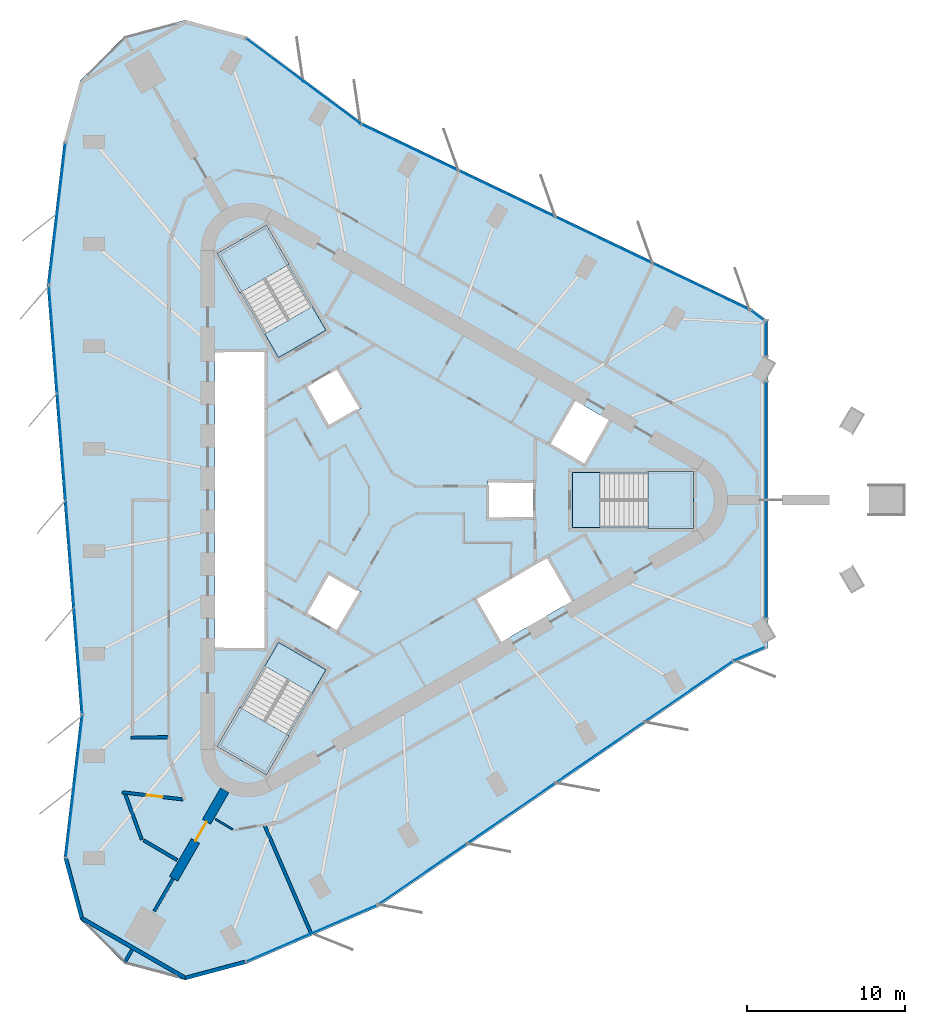
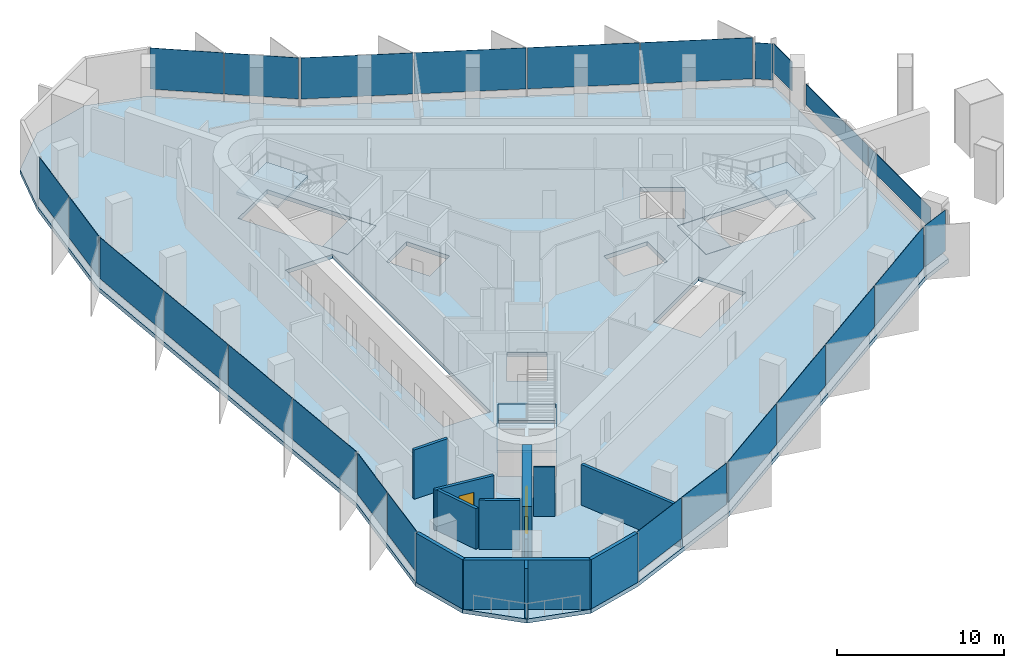
# One storey, part 6 of 12: 25 plates, 12 walls, 7 slabs, 2 doors, 2 openings, 14 elements without a shape of their own.
"""IFC4 building model written with IfcOpenShell, lengths in metres."""

from ifc_helpers import new_model, si_unit, direction, frame, frame_2d, origin, origin_2d, place, context, subcontext, project, spatial, polyline, rectangle, outline, extrude, material, layer, layer_set, type_object, element, fill, aggregate, save


model = new_model("IFC4")

# Units and contexts
model_context = context("Model", 3, precision=1e-05, world=origin(), true_north=direction((0.0, 1.0)))
body_context = subcontext(model_context, "Body", "Model", "MODEL_VIEW")
ifc_project = project(units=[si_unit("LENGTHUNIT", "METRE"), si_unit("AREAUNIT", "SQUARE_METRE"), si_unit("VOLUMEUNIT", "CUBIC_METRE"), si_unit("PLANEANGLEUNIT", "RADIAN"), si_unit("MASSUNIT", "GRAM", prefix="KILO")], contexts=[model_context])

# Site, building, storey
site_placement = place(None, origin())
site = spatial("IfcSite", under=ifc_project, at=site_placement, CompositionType="ELEMENT")
building_placement = place(site_placement, origin())
building = spatial("IfcBuilding", under=site, at=building_placement, Name="Tanit Gate Tower", CompositionType="ELEMENT")
storey_placement = place(building_placement, frame((0.0, 0.0, 384.5)))
storey = spatial("IfcBuildingStorey", under=building, at=storey_placement, Name="L88", CompositionType="ELEMENT", Elevation=384.5)

# Slab
ifc_material_1 = material(Name="Concrete C35/45", Category="concrete")
ifc_layer_1 = layer(ifc_material_1, 0.300048828125)
ifc_layer_set_1 = layer_set([ifc_layer_1], Name="FLOOR SLAB 300 C35/45")
slab_type_1 = type_object("IfcSlabType", Name="FLOOR SLAB 300 C35/45", PredefinedType="FLOOR", material=ifc_layer_set_1)
slab_1_placement = place(storey_placement, frame((0.0, 0.0, -0.300048828125)))
element("IfcSlab", 1, at=slab_1_placement, inside=storey, type_object=slab_type_1, Name="FLOOR SLAB L88", PredefinedType="FLOOR", context=body_context, shape_type="SweptSolid", body=[
    extrude(outline(polyline([(21.5927734375, -10.251220703125), (-0.858642578125, -25.6611328125), (-9.2255859375, -29.26806640625), (-13.061767578125, -30.2958984375), (-16.89794921875, -29.26806640625), (-19.7060546875, -26.459716796875), (-20.73388671875, -22.62353515625), (-19.67431640625, -13.57421875), (-21.793701171875, 13.57421875), (-20.73388671875, 22.62353515625), (-19.7060546875, 26.459716796875), (-16.89794921875, 29.26806640625), (-13.061767578125, 30.2958984375), (-9.2255859375, 29.26806640625), (-1.91845703125, 23.825439453125), (22.652587890625, 12.0869140625), (23.699951171875, 11.306640625), (23.699951171875, -9.3427734375), (29.959716796875, -6.644287109375), (21.5927734375, -10.251220703125)]), holes=[polyline([(11.3701171875, 1.72998046875), (18.929931640625, 1.72998046875), (18.929931640625, -1.72998046875), (11.3701171875, -1.72998046875), (11.3701171875, 1.72998046875)]), polyline([(12.158935546875, 2.159912109375), (9.82080078125, 3.510009765625), (11.44580078125, 6.324462890625), (13.783935546875, 4.974609375), (12.158935546875, 2.159912109375)]), polyline([(11.44580078125, -6.324462890625), (6.76904296875, -9.0244140625), (5.14404296875, -6.2099609375), (9.82080078125, -3.510009765625), (11.44580078125, -6.324462890625)]), polyline([(6.0, 1.199951171875), (9.0, 1.199951171875), (9.0, -1.199951171875), (6.0, -1.199951171875), (6.0, 1.199951171875)]), polyline([(-4.039306640625, 4.59619140625), (-5.539306640625, 7.194091796875), (-3.460693359375, 8.394287109375), (-1.960693359375, 5.796142578125), (-4.039306640625, 4.59619140625)]), polyline([(-1.960693359375, -5.796142578125), (-3.460693359375, -8.394287109375), (-5.539306640625, -7.194091796875), (-4.039306640625, -4.59619140625), (-1.960693359375, -5.796142578125)]), polyline([(-7.18310546875, 8.981689453125), (-10.963134765625, 15.52880859375), (-7.966796875, 17.2587890625), (-4.186767578125, 10.711669921875), (-7.18310546875, 8.981689453125)]), polyline([(-4.186767578125, -10.711669921875), (-7.966796875, -17.2587890625), (-10.963134765625, -15.52880859375), (-7.18310546875, -8.981689453125), (-4.186767578125, -10.711669921875)]), polyline([(-11.199951171875, -9.449951171875), (-11.199951171875, 9.449951171875), (-7.949951171875, 9.449951171875), (-7.949951171875, -9.449951171875), (-11.199951171875, -9.449951171875)])]), origin(), (0.0, 0.0, 1.0), 0.300048828125),
])

# Curtain wall, plate
ifc_material_2 = material(Name="Aluminium bronze anodised and glass", Category="aluminium")
curtain_wall_type_1 = type_object("IfcCurtainWallType", Name="Curtain wall typical high", PredefinedType="NOTDEFINED", material=ifc_material_2)
curtain_wall_1_placement = place(storey_placement, origin())
curtain_wall_1 = element("IfcCurtainWall", 2, at=curtain_wall_1_placement, inside=storey, type_object=curtain_wall_type_1, Name="Curtain wall L88 NE1c", PredefinedType="NOTDEFINED")
ifc_material_3 = material(Name="Glass tinted", Category="glass")
ifc_layer_2 = layer(ifc_material_3, 0.028076171875)
ifc_layer_set_2 = layer_set([ifc_layer_2], Name="Glass panel 28 typical high")
plate_type_1 = type_object("IfcPlateType", Name="Glass panel 28 typical high", PredefinedType="CURTAIN_PANEL", material=ifc_layer_set_2)
plate_1_placement = place(storey_placement, frame((23.08544921875, 11.61474609375, 0.60009765625), z_axis=(0.0, 0.0, 1.0), x_axis=(-0.801987717098, 0.59734052401, 0.0)))
plate_1 = element("IfcPlate", 3, at=plate_1_placement, type_object=plate_type_1, Name="Glass panel L88 NE1c.1", PredefinedType="CURTAIN_PANEL", context=body_context, shape_type="SweptSolid", body=[
    extrude(rectangle(XDim=1.07470703125, YDim=0.028076171875, at=origin_2d()), origin(), (0.0, 0.0, 1.0), 2.639892578125),
])
aggregate(curtain_wall_1, [plate_1])

# Curtain wall, plates
curtain_wall_2_placement = place(storey_placement, origin())
curtain_wall_2 = element("IfcCurtainWall", 4, at=curtain_wall_2_placement, inside=storey, type_object=curtain_wall_type_1, Name="Curtain wall L88 NE2", PredefinedType="NOTDEFINED")
plate_2_placement = place(storey_placement, frame((19.49169921875, 13.4638671875, 0.60009765625), z_axis=(0.0, 0.0, 1.0), x_axis=(-0.902317145415, 0.431072811819, 0.0)))
plate_2 = element("IfcPlate", 5, at=plate_2_placement, type_object=plate_type_1, Name="Glass panel L88 NE2.1", PredefinedType="CURTAIN_PANEL", context=body_context, shape_type="SweptSolid", body=[
    extrude(rectangle(XDim=6.707763671875, YDim=0.028076171875, at=origin_2d()), origin(), (0.0, 0.0, 1.0), 3.0),
])
plate_3_placement = place(storey_placement, frame((13.3671875, 16.389892578125, 0.60009765625), z_axis=(0.0, 0.0, 1.0), x_axis=(-0.902317145415, 0.431072811819, 0.0)))
plate_3 = element("IfcPlate", 6, at=plate_3_placement, type_object=plate_type_1, Name="Glass panel L88 NE2.2", PredefinedType="CURTAIN_PANEL", context=body_context, shape_type="SweptSolid", body=[
    extrude(rectangle(XDim=6.707763671875, YDim=0.028076171875, at=origin_2d()), origin(), (0.0, 0.0, 1.0), 3.0),
])
plate_4_placement = place(storey_placement, frame((7.242431640625, 19.31591796875, 0.60009765625), z_axis=(0.0, 0.0, 1.0), x_axis=(-0.902317145415, 0.431072811819, 0.0)))
plate_4 = element("IfcPlate", 7, at=plate_4_placement, type_object=plate_type_1, Name="Glass panel L88 NE2.3", PredefinedType="CURTAIN_PANEL", context=body_context, shape_type="SweptSolid", body=[
    extrude(rectangle(XDim=6.707763671875, YDim=0.028076171875, at=origin_2d()), origin(), (0.0, 0.0, 1.0), 3.0),
])
plate_5_placement = place(storey_placement, frame((1.11767578125, 22.241943359375, 0.60009765625), z_axis=(0.0, 0.0, 1.0), x_axis=(-0.902317145415, 0.431072811819, 0.0)))
plate_5 = element("IfcPlate", 8, at=plate_5_placement, type_object=plate_type_1, Name="Glass panel L88 NE2.4", PredefinedType="CURTAIN_PANEL", context=body_context, shape_type="SweptSolid", body=[
    extrude(rectangle(XDim=6.707763671875, YDim=0.028076171875, at=origin_2d()), origin(), (0.0, 0.0, 1.0), 3.0),
])
aggregate(curtain_wall_2, [plate_2, plate_3, plate_4, plate_5])

curtain_wall_3_placement = place(storey_placement, origin())
curtain_wall_3 = element("IfcCurtainWall", 9, at=curtain_wall_3_placement, inside=storey, type_object=curtain_wall_type_1, Name="Curtain wall L88 NE3", PredefinedType="NOTDEFINED")
plate_6_placement = place(storey_placement, frame((-3.8212890625, 25.093017578125, 0.60009765625), z_axis=(0.0, 0.0, 1.0), x_axis=(-0.801987717098, 0.59734052401, 0.0)))
plate_6 = element("IfcPlate", 10, at=plate_6_placement, type_object=plate_type_1, Name="Glass panel L88 NE3.1", PredefinedType="CURTAIN_PANEL", context=body_context, shape_type="SweptSolid", body=[
    extrude(rectangle(XDim=4.429931640625, YDim=0.028076171875, at=origin_2d()), origin(), (0.0, 0.0, 1.0), 3.0),
])
plate_7_placement = place(storey_placement, frame((-7.438232421875, 27.787109375, 0.60009765625), z_axis=(0.0, 0.0, 1.0), x_axis=(-0.801987717098, 0.59734052401, 0.0)))
plate_7 = element("IfcPlate", 11, at=plate_7_placement, type_object=plate_type_1, Name="Glass panel L88 NE3.2", PredefinedType="CURTAIN_PANEL", context=body_context, shape_type="SweptSolid", body=[
    extrude(rectangle(XDim=4.429931640625, YDim=0.028076171875, at=origin_2d()), origin(), (0.0, 0.0, 1.0), 3.0),
])
aggregate(curtain_wall_3, [plate_6, plate_7])

curtain_wall_4_placement = place(storey_placement, origin())
curtain_wall_4 = element("IfcCurtainWall", 12, at=curtain_wall_4_placement, inside=storey, type_object=curtain_wall_type_1, Name="Curtain wall L88 W1", PredefinedType="NOTDEFINED")
plate_8_placement = place(storey_placement, frame((-20.882568359375, 20.323974609375, 0.60009765625), z_axis=(0.0, 0.0, 1.0), x_axis=(-0.116318209953, -0.993211998535, 0.0)))
plate_8 = element("IfcPlate", 13, at=plate_8_placement, type_object=plate_type_1, Name="Glass panel L88 W1.1", PredefinedType="CURTAIN_PANEL", context=body_context, shape_type="SweptSolid", body=[
    extrude(rectangle(XDim=4.42529296875, YDim=0.028076171875, at=origin_2d()), origin(), (0.0, 0.0, 1.0), 3.0),
])
plate_9_placement = place(storey_placement, frame((-21.406494140625, 15.84912109375, 0.60009765625), z_axis=(0.0, 0.0, 1.0), x_axis=(-0.116318209953, -0.993211998535, 0.0)))
plate_9 = element("IfcPlate", 14, at=plate_9_placement, type_object=plate_type_1, Name="Glass panel L88 W1.2", PredefinedType="CURTAIN_PANEL", context=body_context, shape_type="SweptSolid", body=[
    extrude(rectangle(XDim=4.425537109375, YDim=0.028076171875, at=origin_2d()), origin(), (0.0, 0.0, 1.0), 3.0),
])
aggregate(curtain_wall_4, [plate_8, plate_9])

curtain_wall_5_placement = place(storey_placement, origin())
curtain_wall_5 = element("IfcCurtainWall", 15, at=curtain_wall_5_placement, inside=storey, type_object=curtain_wall_type_1, Name="Curtain wall L88 W2", PredefinedType="NOTDEFINED")
plate_10_placement = place(storey_placement, frame((-21.406005859375, 10.1484375, 0.60009765625), z_axis=(0.0, 0.0, 1.0), x_axis=(0.077838566791, -0.996965976109, 0.0)))
plate_10 = element("IfcPlate", 16, at=plate_10_placement, type_object=plate_type_1, Name="Glass panel L88 W2.1", PredefinedType="CURTAIN_PANEL", context=body_context, shape_type="SweptSolid", body=[
    extrude(rectangle(XDim=6.707763671875, YDim=0.028076171875, at=origin_2d()), origin(), (0.0, 0.0, 1.0), 3.0),
])
plate_11_placement = place(storey_placement, frame((-20.877685546875, 3.38134765625, 0.60009765625), z_axis=(0.0, 0.0, 1.0), x_axis=(0.077838566791, -0.996965976109, 0.0)))
plate_11 = element("IfcPlate", 17, at=plate_11_placement, type_object=plate_type_1, Name="Glass panel L88 W2.2", PredefinedType="CURTAIN_PANEL", context=body_context, shape_type="SweptSolid", body=[
    extrude(rectangle(XDim=6.707763671875, YDim=0.028076171875, at=origin_2d()), origin(), (0.0, 0.0, 1.0), 3.0),
])
plate_12_placement = place(storey_placement, frame((-20.349365234375, -3.385986328125, 0.60009765625), z_axis=(0.0, 0.0, 1.0), x_axis=(0.077838566791, -0.996965976109, 0.0)))
plate_12 = element("IfcPlate", 18, at=plate_12_placement, type_object=plate_type_1, Name="Glass panel L88 W2.3", PredefinedType="CURTAIN_PANEL", context=body_context, shape_type="SweptSolid", body=[
    extrude(rectangle(XDim=6.707763671875, YDim=0.028076171875, at=origin_2d()), origin(), (0.0, 0.0, 1.0), 3.0),
])
plate_13_placement = place(storey_placement, frame((-19.82080078125, -10.153076171875, 0.60009765625), z_axis=(0.0, 0.0, 1.0), x_axis=(0.077838566791, -0.996965976109, 0.0)))
plate_13 = element("IfcPlate", 19, at=plate_13_placement, type_object=plate_type_1, Name="Glass panel L88 W2.4", PredefinedType="CURTAIN_PANEL", context=body_context, shape_type="SweptSolid", body=[
    extrude(rectangle(XDim=6.707763671875, YDim=0.028076171875, at=origin_2d()), origin(), (0.0, 0.0, 1.0), 3.0),
])
aggregate(curtain_wall_5, [plate_10, plate_11, plate_12, plate_13])

curtain_wall_6_placement = place(storey_placement, origin())
curtain_wall_6 = element("IfcCurtainWall", 20, at=curtain_wall_6_placement, inside=storey, type_object=curtain_wall_type_1, Name="Curtain wall L88 W3", PredefinedType="NOTDEFINED")
plate_14_placement = place(storey_placement, frame((-19.820556640625, -15.85595703125, 0.60009765625), z_axis=(0.0, 0.0, 1.0), x_axis=(-0.116318209953, -0.993211998535, 0.0)))
plate_14 = element("IfcPlate", 21, at=plate_14_placement, type_object=plate_type_1, Name="Glass panel L88 W3.1", PredefinedType="CURTAIN_PANEL", context=body_context, shape_type="SweptSolid", body=[
    extrude(rectangle(XDim=4.429931640625, YDim=0.028076171875, at=origin_2d()), origin(), (0.0, 0.0, 1.0), 3.0),
])
plate_15_placement = place(storey_placement, frame((-20.34521484375, -20.335205078125, 0.60009765625), z_axis=(0.0, 0.0, 1.0), x_axis=(-0.116318209953, -0.993211998535, 0.0)))
plate_15 = element("IfcPlate", 22, at=plate_15_placement, type_object=plate_type_1, Name="Glass panel L88 W3.2", PredefinedType="CURTAIN_PANEL", context=body_context, shape_type="SweptSolid", body=[
    extrude(rectangle(XDim=4.429931640625, YDim=0.028076171875, at=origin_2d()), origin(), (0.0, 0.0, 1.0), 3.0),
])
aggregate(curtain_wall_6, [plate_14, plate_15])

curtain_wall_7_placement = place(storey_placement, origin())
curtain_wall_7 = element("IfcCurtainWall", 23, at=curtain_wall_7_placement, inside=storey, type_object=curtain_wall_type_1, Name="Curtain wall L88 SE1", PredefinedType="NOTDEFINED")
plate_16_placement = place(storey_placement, frame((-7.15966796875, -28.246826171875, 0.60009765625), z_axis=(0.0, 0.0, 1.0), x_axis=(0.918305927051, 0.395871474525, 0.0)))
plate_16 = element("IfcPlate", 24, at=plate_16_placement, type_object=plate_type_1, Name="Glass panel L88 SE1.1", PredefinedType="CURTAIN_PANEL", context=body_context, shape_type="SweptSolid", body=[
    extrude(rectangle(XDim=4.42529296875, YDim=0.028076171875, at=origin_2d()), origin(), (0.0, 0.0, 1.0), 3.0),
])
plate_17_placement = place(storey_placement, frame((-3.0224609375, -26.463134765625, 0.60009765625), z_axis=(0.0, 0.0, 1.0), x_axis=(0.918305927051, 0.395871474525, 0.0)))
plate_17 = element("IfcPlate", 25, at=plate_17_placement, type_object=plate_type_1, Name="Glass panel L88 SE1.2", PredefinedType="CURTAIN_PANEL", context=body_context, shape_type="SweptSolid", body=[
    extrude(rectangle(XDim=4.425537109375, YDim=0.028076171875, at=origin_2d()), origin(), (0.0, 0.0, 1.0), 3.0),
])
aggregate(curtain_wall_7, [plate_16, plate_17])

curtain_wall_8_placement = place(storey_placement, origin())
curtain_wall_8 = element("IfcCurtainWall", 26, at=curtain_wall_8_placement, inside=storey, type_object=curtain_wall_type_1, Name="Curtain wall L88 SE2", PredefinedType="NOTDEFINED")
plate_18_placement = place(storey_placement, frame((1.914306640625, -23.6123046875, 0.60009765625), z_axis=(0.0, 0.0, 1.0), x_axis=(0.824478578624, 0.56589316429, 0.0)))
plate_18 = element("IfcPlate", 27, at=plate_18_placement, type_object=plate_type_1, Name="Glass panel L88 SE2.1", PredefinedType="CURTAIN_PANEL", context=body_context, shape_type="SweptSolid", body=[
    extrude(rectangle(XDim=6.707763671875, YDim=0.028076171875, at=origin_2d()), origin(), (0.0, 0.0, 1.0), 3.0),
])
plate_19_placement = place(storey_placement, frame((7.510498046875, -19.771240234375, 0.60009765625), z_axis=(0.0, 0.0, 1.0), x_axis=(0.824478578624, 0.56589316429, 0.0)))
plate_19 = element("IfcPlate", 28, at=plate_19_placement, type_object=plate_type_1, Name="Glass panel L88 SE2.2", PredefinedType="CURTAIN_PANEL", context=body_context, shape_type="SweptSolid", body=[
    extrude(rectangle(XDim=6.707763671875, YDim=0.028076171875, at=origin_2d()), origin(), (0.0, 0.0, 1.0), 3.0),
])
plate_20_placement = place(storey_placement, frame((13.10693359375, -15.929931640625, 0.60009765625), z_axis=(0.0, 0.0, 1.0), x_axis=(0.824478578624, 0.56589316429, 0.0)))
plate_20 = element("IfcPlate", 29, at=plate_20_placement, type_object=plate_type_1, Name="Glass panel L88 SE2.3", PredefinedType="CURTAIN_PANEL", context=body_context, shape_type="SweptSolid", body=[
    extrude(rectangle(XDim=6.707763671875, YDim=0.028076171875, at=origin_2d()), origin(), (0.0, 0.0, 1.0), 3.0),
])
plate_21_placement = place(storey_placement, frame((18.703369140625, -12.0888671875, 0.60009765625), z_axis=(0.0, 0.0, 1.0), x_axis=(0.824478578624, 0.56589316429, 0.0)))
plate_21 = element("IfcPlate", 30, at=plate_21_placement, type_object=plate_type_1, Name="Glass panel L88 SE2.4", PredefinedType="CURTAIN_PANEL", context=body_context, shape_type="SweptSolid", body=[
    extrude(rectangle(XDim=6.707763671875, YDim=0.028076171875, at=origin_2d()), origin(), (0.0, 0.0, 1.0), 3.0),
])
aggregate(curtain_wall_8, [plate_18, plate_19, plate_20, plate_21])

# Curtain wall, plate
curtain_wall_9_placement = place(storey_placement, origin())
curtain_wall_9 = element("IfcCurtainWall", 31, at=curtain_wall_9_placement, inside=storey, type_object=curtain_wall_type_1, Name="Curtain wall L88 SE3c", PredefinedType="NOTDEFINED")
plate_22_placement = place(storey_placement, frame((22.557373046875, -9.70458984375, 0.60009765625), z_axis=(0.0, 0.0, 1.0), x_axis=(0.918305927051, 0.395871474525, 0.0)))
plate_22 = element("IfcPlate", 32, at=plate_22_placement, type_object=plate_type_1, Name="Glass panel L88 SE3c.1", PredefinedType="CURTAIN_PANEL", context=body_context, shape_type="SweptSolid", body=[
    extrude(rectangle(XDim=2.068115234375, YDim=0.028076171875, at=origin_2d()), origin(), (0.0, 0.0, 1.0), 3.0),
])
aggregate(curtain_wall_9, [plate_22])

ifc_material_4 = material(Name="Aluminium bronze anodised and glass", Category="aluminium")
curtain_wall_type_2 = type_object("IfcCurtainWallType", Name="Curtain wall portal glazing", PredefinedType="NOTDEFINED", material=ifc_material_4)
curtain_wall_10_placement = place(storey_placement, origin())
curtain_wall_10 = element("IfcCurtainWall", 33, at=curtain_wall_10_placement, inside=storey, type_object=curtain_wall_type_2, Name="Curtain wall L88 NOTCH1", PredefinedType="NOTDEFINED")
ifc_material_5 = material(Name="Glass tinted laminated safety", Category="glass")
ifc_layer_3 = layer(ifc_material_5, 0.0439453125)
ifc_layer_set_3 = layer_set([ifc_layer_3], Name="Glass panel 44 portal glazing")
plate_type_2 = type_object("IfcPlateType", Name="Glass panel 44 portal glazing", PredefinedType="CURTAIN_PANEL", material=ifc_layer_set_3)
plate_23_placement = place(storey_placement, frame((23.580078125, 10.21484375, 1.10009765625), z_axis=(0.0, 0.0, 1.0), x_axis=(0.0, -1.0, 0.0)))
plate_23 = element("IfcPlate", 34, at=plate_23_placement, type_object=plate_type_2, Name="Glass panel L88 NOTCH1.1", PredefinedType="CURTAIN_PANEL", context=body_context, shape_type="SweptSolid", body=[
    extrude(rectangle(XDim=2.201171875, YDim=0.0439453125, at=origin_2d()), origin(), (0.0, 0.0, 1.0), 2.110107421875),
])
aggregate(curtain_wall_10, [plate_23])

# Curtain wall, plates
curtain_wall_11_placement = place(storey_placement, origin())
curtain_wall_11 = element("IfcCurtainWall", 35, at=curtain_wall_11_placement, inside=storey, type_object=curtain_wall_type_2, Name="Curtain wall L88 NOTCH2", PredefinedType="NOTDEFINED")
plate_24_placement = place(storey_placement, frame((23.580078125, 3.736083984375, 1.10009765625), z_axis=(0.0, 0.0, 1.0), x_axis=(0.0, -1.0, 0.0)))
plate_24 = element("IfcPlate", 36, at=plate_24_placement, type_object=plate_type_2, Name="Glass panel L88 NOTCH2.1", PredefinedType="CURTAIN_PANEL", context=body_context, shape_type="SweptSolid", body=[
    extrude(rectangle(XDim=7.392333984375, YDim=0.0439453125, at=origin_2d()), origin(), (0.0, 0.0, 1.0), 1.510009765625),
])
plate_25_placement = place(storey_placement, frame((23.580078125, -3.736083984375, 1.10009765625), z_axis=(0.0, 0.0, 1.0), x_axis=(0.0, -1.0, 0.0)))
plate_25 = element("IfcPlate", 37, at=plate_25_placement, type_object=plate_type_2, Name="Glass panel L88 NOTCH2.2", PredefinedType="CURTAIN_PANEL", context=body_context, shape_type="SweptSolid", body=[
    extrude(rectangle(XDim=7.392333984375, YDim=0.0439453125, at=origin_2d()), origin(), (0.0, 0.0, 1.0), 1.510009765625),
])
aggregate(curtain_wall_11, [plate_24, plate_25])

# Stair, slab
ifc_material_6 = material(Name="Concrete C40/50", Category="concrete")
stair_type = type_object("IfcStairType", Name="INT-STAIR-EXIT", PredefinedType="HALF_TURN_STAIR", material=ifc_material_6)
stair_1_placement = place(storey_placement, origin())
stair_1 = element("IfcStair", 38, at=stair_1_placement, inside=storey, type_object=stair_type, Name="L88 STAIR S1", PredefinedType="HALF_TURN_STAIR")
ifc_material_7 = material(Name="Concrete C40/50", Category="concrete")
ifc_layer_4 = layer(ifc_material_7, 0.199951171875)
ifc_layer_set_4 = layer_set([ifc_layer_4], Name="INT-STAIR-LANDING")
slab_type_2 = type_object("IfcSlabType", Name="INT-STAIR-LANDING", PredefinedType="LANDING", material=ifc_layer_set_4)
slab_2_placement = place(storey_placement, frame((0.0, 0.0, 1.75)))
slab_2 = element("IfcSlab", 39, at=slab_2_placement, type_object=slab_type_2, Name="S1 landing 1", PredefinedType="LANDING", context=body_context, shape_type="SweptSolid", body=[
    extrude(outline(polyline([(16.135986328125, -1.800048828125), (19.0, -1.800048828125), (19.0, 1.800048828125), (16.135986328125, 1.800048828125), (16.135986328125, -1.800048828125)])), origin(), (0.0, 0.0, 1.0), 0.199951171875),
])
aggregate(stair_1, [slab_2])

# Slab
slab_3_placement = place(storey_placement, frame((0.0, 0.0, -0.199951171875)))
element("IfcSlab", 40, at=slab_3_placement, inside=storey, type_object=slab_type_2, Name="S1 floor landing", PredefinedType="LANDING", context=body_context, shape_type="SweptSolid", body=[
    extrude(outline(polyline([(11.3798828125, -1.719970703125), (13.10498046875, -1.719970703125), (13.10498046875, 1.719970703125), (11.3798828125, 1.719970703125), (11.3798828125, -1.719970703125)])), origin(), (0.0, 0.0, 1.0), 0.199951171875),
])

# Stair, slab
stair_2_placement = place(storey_placement, origin())
stair_2 = element("IfcStair", 41, at=stair_2_placement, inside=storey, type_object=stair_type, Name="L88 STAIR S2", PredefinedType="HALF_TURN_STAIR")
slab_4_placement = place(storey_placement, frame((0.0, 0.0, 1.75)))
slab_4 = element("IfcSlab", 42, at=slab_4_placement, type_object=slab_type_2, Name="S2 landing 1", PredefinedType="LANDING", context=body_context, shape_type="SweptSolid", body=[
    extrude(outline(polyline([(-6.5078125, 14.871826171875), (-7.941162109375, 17.3544921875), (-11.058837890625, 15.554443359375), (-9.62548828125, 13.07177734375), (-6.5078125, 14.871826171875)])), origin(), (0.0, 0.0, 1.0), 0.199951171875),
])
aggregate(stair_2, [slab_4])

# Slab
slab_5_placement = place(storey_placement, frame((0.0, 0.0, -0.199951171875)))
element("IfcSlab", 43, at=slab_5_placement, inside=storey, type_object=slab_type_2, Name="S2 floor landing", PredefinedType="LANDING", context=body_context, shape_type="SweptSolid", body=[
    extrude(outline(polyline([(-4.200439453125, 10.71533203125), (-5.0625, 12.20849609375), (-8.04150390625, 10.48828125), (-7.179443359375, 8.995361328125), (-4.200439453125, 10.71533203125)])), origin(), (0.0, 0.0, 1.0), 0.199951171875),
])

# Stair, slab
stair_3_placement = place(storey_placement, origin())
stair_3 = element("IfcStair", 44, at=stair_3_placement, inside=storey, type_object=stair_type, Name="L88 STAIR S3", PredefinedType="HALF_TURN_STAIR")
slab_6_placement = place(storey_placement, frame((0.0, 0.0, 1.75)))
slab_6 = element("IfcSlab", 45, at=slab_6_placement, type_object=slab_type_2, Name="S3 landing 1", PredefinedType="LANDING", context=body_context, shape_type="SweptSolid", body=[
    extrude(outline(polyline([(-9.626953125, -13.07421875), (-11.058837890625, -15.554443359375), (-7.941162109375, -17.3544921875), (-6.509033203125, -14.874267578125), (-9.626953125, -13.07421875)])), origin(), (0.0, 0.0, 1.0), 0.199951171875),
])
aggregate(stair_3, [slab_6])

# Slab
slab_7_placement = place(storey_placement, frame((0.0, 0.0, -0.199951171875)))
element("IfcSlab", 46, at=slab_7_placement, inside=storey, type_object=slab_type_2, Name="S3 floor landing", PredefinedType="LANDING", context=body_context, shape_type="SweptSolid", body=[
    extrude(outline(polyline([(-7.179443359375, -8.995361328125), (-8.0419921875, -10.4892578125), (-5.06298828125, -12.209228515625), (-4.200439453125, -10.71533203125), (-7.179443359375, -8.995361328125)])), origin(), (0.0, 0.0, 1.0), 0.199951171875),
])

# Wall, opening, door
ifc_material_8 = material(Name="Concrete C40/50", Category="concrete")
ifc_layer_5 = layer(ifc_material_8, 0.60009765625)
ifc_layer_set_5 = layer_set([ifc_layer_5], Name="BUTTRESS FIN 600 C40/50")
wall_type_1 = type_object("IfcWallType", Name="BUTTRESS FIN 600 C40/50", PredefinedType="SHEAR", material=ifc_layer_set_5)
wall_1_placement = place(storey_placement, frame((-10.574951171875, -18.31640625, 0.0), z_axis=(0.0, 0.0, 1.0), x_axis=(-0.500011655475, -0.866018674388, 0.0)))
wall_1 = element("IfcWall", 47, at=wall_1_placement, inside=storey, type_object=wall_type_1, Name="BUTTRESS FIN", PredefinedType="SHEAR", context=body_context, shape_type="SweptSolid", body=[
    extrude(rectangle(XDim=6.454833984375, YDim=0.60009765625, at=frame_2d((3.2275390625, 0.0))), origin(), (0.0, 0.0, 1.0), 3.89990234375),
])
opening_1_placement = place(wall_1_placement, frame((2.300048828125, 0.0, 0.0)))
opening_1 = element("IfcOpeningElement", 48, at=opening_1_placement, cuts=wall_1, Name="Opening P14-88-F-SW-1", PredefinedType="OPENING", context=body_context, shape_type="SweptSolid", body=[
    extrude(rectangle(XDim=1.39990234375, YDim=2.39990234375, at=frame_2d((0.699951171875, 1.199951171875))), frame((0.0, 0.31005859375, 0.0), z_axis=(0.0, -1.0, 0.0), x_axis=(1.0, 0.0, 0.0)), (0.0, 0.0, 1.0), 0.6201171875),
])
ifc_material_9 = material(Name="Timber door leaf", Category="wood")
door_type_1 = type_object("IfcDoorType", Name="INT-DOOR-FIN-PAIR-1400", OperationType="NOTDEFINED", PredefinedType="NOTDEFINED", material=ifc_material_9)
door_1_placement = place(opening_1_placement, origin())
door_1 = element("IfcDoor", 49, at=door_1_placement, inside=storey, type_object=door_type_1, Name="Door P14-88-F-SW-1", OperationType="DOUBLE_DOOR_SINGLE_SWING", OverallHeight=2.39990234375, OverallWidth=1.39990234375, PredefinedType="NOTDEFINED", context=body_context, shape_type="SweptSolid", body=[
    extrude(rectangle(XDim=1.39990234375, YDim=2.39990234375, at=frame_2d((0.699951171875, 1.199951171875))), frame((0.0, 0.02490234375, 0.0), z_axis=(0.0, -1.0, 0.0), x_axis=(1.0, 0.0, 0.0)), (0.0, 0.0, 1.0), 0.050048828125),
])
fill(opening_1, door_1)

# Walls
ifc_material_10 = material(Name="Concrete C30/37 with bronze anodised aluminium cladding", Category="concrete")
ifc_layer_6 = layer(ifc_material_10, 0.239990234375)
ifc_layer_set_6 = layer_set([ifc_layer_6], Name="Facade wall bronze clad 240")
wall_type_2 = type_object("IfcWallType", Name="Facade wall bronze clad 240", PredefinedType="SOLIDWALL", material=ifc_layer_set_6)
wall_2_placement = place(storey_placement, frame((-20.612060546875, -22.61474609375, 0.0), z_axis=(0.0, 0.0, 1.0), x_axis=(0.258826446974, -0.965923842933, 0.0)))
element("IfcWall", 50, at=wall_2_placement, inside=storey, type_object=wall_type_2, Name="Bronze-clad facade wall L88 SW.arc1", PredefinedType="SOLIDWALL", context=body_context, shape_type="SweptSolid", body=[
    extrude(rectangle(XDim=3.91650390625, YDim=0.239990234375, at=frame_2d((1.958251953125, 0.0))), origin(), (0.0, 0.0, 1.0), 3.60009765625),
])
wall_3_placement = place(storey_placement, frame((-19.598388671875, -26.397705078125, 0.0), z_axis=(0.0, 0.0, 1.0), x_axis=(0.86602506914, -0.500000579621, 0.0)))
element("IfcWall", 51, at=wall_3_placement, inside=storey, type_object=wall_type_2, Name="Bronze-clad facade wall L88 SW.arc2", PredefinedType="SOLIDWALL", context=body_context, shape_type="SweptSolid", body=[
    extrude(rectangle(XDim=7.5478515625, YDim=0.239990234375, at=frame_2d((3.77392578125, 0.0))), origin(), (0.0, 0.0, 1.0), 3.60009765625),
])
wall_4_placement = place(storey_placement, frame((-13.061767578125, -30.171630859375, 0.0), z_axis=(0.0, 0.0, 1.0), x_axis=(0.965923930123, 0.258826121588, 0.0)))
element("IfcWall", 52, at=wall_4_placement, inside=storey, type_object=wall_type_2, Name="Bronze-clad facade wall L88 SW.arc3", PredefinedType="SOLIDWALL", context=body_context, shape_type="SweptSolid", body=[
    extrude(rectangle(XDim=3.9306640625, YDim=0.239990234375, at=frame_2d((1.96533203125, 0.0))), origin(), (0.0, 0.0, 1.0), 3.60009765625),
])
ifc_material_11 = material(Name="Fire-rated gypsum board partition")
ifc_layer_7 = layer(ifc_material_11, 0.199951171875)
ifc_layer_set_7 = layer_set([ifc_layer_7], Name="INT-WALL-COMPARTMENT")
wall_type_3 = type_object("IfcWallType", Name="INT-WALL-COMPARTMENT", PredefinedType="PARTITIONING", material=ifc_layer_set_7)
wall_5_placement = place(storey_placement, frame((-16.5, -15.001220703125, 0.0), z_axis=(0.0, 0.0, 1.0), x_axis=(0.999914974263, 0.013040101386, 0.0)))
element("IfcWall", 53, at=wall_5_placement, inside=storey, type_object=wall_type_3, Name="Wall Compartment W095", PredefinedType="PARTITIONING", context=body_context, shape_type="SweptSolid", body=[
    extrude(rectangle(XDim=2.34033203125, YDim=0.199951171875, at=frame_2d((1.170166015625, 0.0))), origin(), (0.0, 0.0, 1.0), 3.60009765625),
])

# Wall, opening, door
wall_6_placement = place(storey_placement, frame((-17.05078125, -18.45068359375, 0.0), z_axis=(0.0, 0.0, 1.0), x_axis=(0.993211283053, -0.116324319111, 0.0)))
wall_6 = element("IfcWall", 54, at=wall_6_placement, inside=storey, type_object=wall_type_3, Name="Wall Compartment W098", PredefinedType="PARTITIONING", context=body_context, shape_type="SweptSolid", body=[
    extrude(rectangle(XDim=3.86376953125, YDim=0.199951171875, at=frame_2d((1.931884765625, 0.0))), origin(), (0.0, 0.0, 1.0), 2.969970703125),
])
opening_2_placement = place(wall_6_placement, frame((1.56201171875, 0.0, 0.0)))
opening_2 = element("IfcOpeningElement", 55, at=opening_2_placement, cuts=wall_6, Name="Opening F10-88-22", PredefinedType="OPENING", context=body_context, shape_type="SweptSolid", body=[
    extrude(rectangle(XDim=1.0, YDim=2.10009765625, at=frame_2d((0.5, 1.050048828125))), frame((0.0, 0.10986328125, 0.0), z_axis=(0.0, -1.0, 0.0), x_axis=(1.0, 0.0, 0.0)), (0.0, 0.0, 1.0), 0.219970703125),
])
ifc_material_12 = material(Name="Fire-rated steel door leaf", Category="steel")
door_type_2 = type_object("IfcDoorType", Name="INT-DOOR-FIRE-1000", OperationType="NOTDEFINED", PredefinedType="USERDEFINED", material=ifc_material_12)
door_2_placement = place(opening_2_placement, origin())
door_2 = element("IfcDoor", 56, at=door_2_placement, inside=storey, type_object=door_type_2, Name="Door F10-88-22", ObjectType="FIRE DOOR", OperationType="SINGLE_SWING_LEFT", OverallHeight=2.10009765625, OverallWidth=1.0, PredefinedType="USERDEFINED", context=body_context, shape_type="SweptSolid", body=[
    extrude(rectangle(XDim=1.0, YDim=2.10009765625, at=frame_2d((0.5, 1.050048828125))), frame((0.0, 0.02490234375, 0.0), z_axis=(0.0, -1.0, 0.0), x_axis=(1.0, 0.0, 0.0)), (0.0, 0.0, 1.0), 0.050048828125),
])
fill(opening_2, door_2)

# Walls
wall_7_placement = place(storey_placement, frame((-16.8515625, -18.57470703125, 0.0), z_axis=(0.0, 0.0, 1.0), x_axis=(0.342039177857, -0.939685692565, 0.0)))
element("IfcWall", 57, at=wall_7_placement, inside=storey, type_object=wall_type_3, Name="Wall Compartment W099", PredefinedType="PARTITIONING", context=body_context, shape_type="SweptSolid", body=[
    extrude(rectangle(XDim=3.044921875, YDim=0.199951171875, at=frame_2d((1.5224609375, 0.0))), origin(), (0.0, 0.0, 1.0), 2.969970703125),
])
wall_8_placement = place(storey_placement, frame((-15.686767578125, -21.482421875, 0.0), z_axis=(0.0, 0.0, 1.0), x_axis=(0.860972264116, -0.508651904963, 0.0)))
element("IfcWall", 58, at=wall_8_placement, inside=storey, type_object=wall_type_3, Name="Wall Compartment W100", PredefinedType="PARTITIONING", context=body_context, shape_type="SweptSolid", body=[
    extrude(rectangle(XDim=2.444091796875, YDim=0.199951171875, at=frame_2d((1.22216796875, 0.0))), origin(), (0.0, 0.0, 1.0), 3.60009765625),
])
wall_9_placement = place(storey_placement, frame((-16.857666015625, -29.138427734375, 0.0), z_axis=(0.0, 0.0, 1.0), x_axis=(0.500033502416, 0.866006060292, 0.0)))
element("IfcWall", 59, at=wall_9_placement, inside=storey, type_object=wall_type_3, Name="Wall Compartment W103", PredefinedType="PARTITIONING", context=body_context, shape_type="SweptSolid", body=[
    extrude(rectangle(XDim=0.88330078125, YDim=0.199951171875, at=frame_2d((0.441650390625, 0.0))), origin(), (0.0, 0.0, 1.0), 3.60009765625),
])
wall_10_placement = place(storey_placement, frame((-15.02392578125, -25.962158203125, 0.0), z_axis=(0.0, 0.0, 1.0), x_axis=(0.500037706602, 0.866003632773, 0.0)))
element("IfcWall", 60, at=wall_10_placement, inside=storey, type_object=wall_type_3, Name="Wall Compartment W104", PredefinedType="PARTITIONING", context=body_context, shape_type="SweptSolid", body=[
    extrude(rectangle(XDim=2.390869140625, YDim=0.199951171875, at=frame_2d((1.1953125, 0.0))), origin(), (0.0, 0.0, 1.0), 3.169921875),
])
wall_11_placement = place(storey_placement, frame((-8.052490234375, -20.558837890625, 0.0), z_axis=(0.0, 0.0, 1.0), x_axis=(0.395762785867, -0.918352773896, 0.0)))
element("IfcWall", 61, at=wall_11_placement, inside=storey, type_object=wall_type_3, Name="Wall Compartment W120", PredefinedType="PARTITIONING", context=body_context, shape_type="SweptSolid", body=[
    extrude(rectangle(XDim=7.4130859375, YDim=0.199951171875, at=frame_2d((3.70654296875, 0.0))), origin(), (0.0, 0.0, 1.0), 2.969970703125),
])
ifc_material_13 = material(Name="Gypsum board partition")
ifc_layer_8 = layer(ifc_material_13, 0.1201171875)
ifc_layer_set_8 = layer_set([ifc_layer_8], Name="INT-WALL-PARTITION")
wall_type_4 = type_object("IfcWallType", Name="INT-WALL-PARTITION", PredefinedType="PARTITIONING", material=ifc_layer_set_8)
wall_12_placement = place(storey_placement, frame((-11.1650390625, -20.138427734375, 0.0), z_axis=(0.0, 0.0, 1.0), x_axis=(0.857357475666, -0.514721438177, 0.0)))
element("IfcWall", 62, at=wall_12_placement, inside=storey, type_object=wall_type_4, Name="Wall Partition W115", PredefinedType="PARTITIONING", context=body_context, shape_type="SweptSolid", body=[
    extrude(rectangle(XDim=1.272705078125, YDim=0.1201171875, at=frame_2d((0.63623046875, 0.0))), origin(), (0.0, 0.0, 1.0), 3.60009765625),
])

save(model, "model.ifc")
